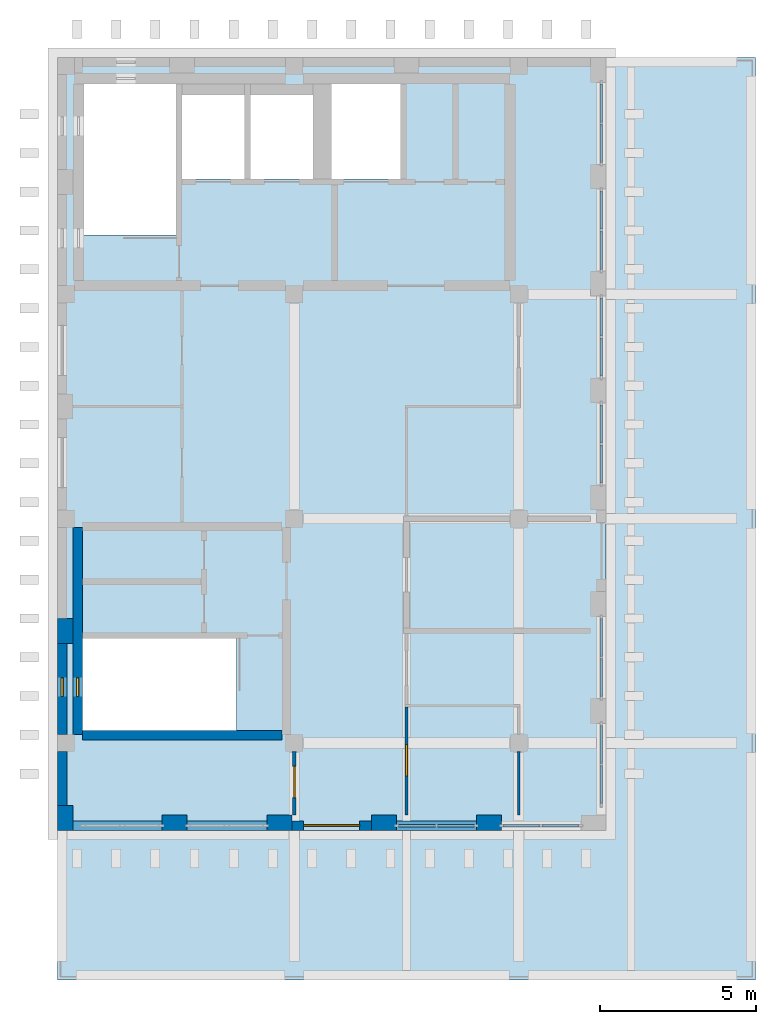
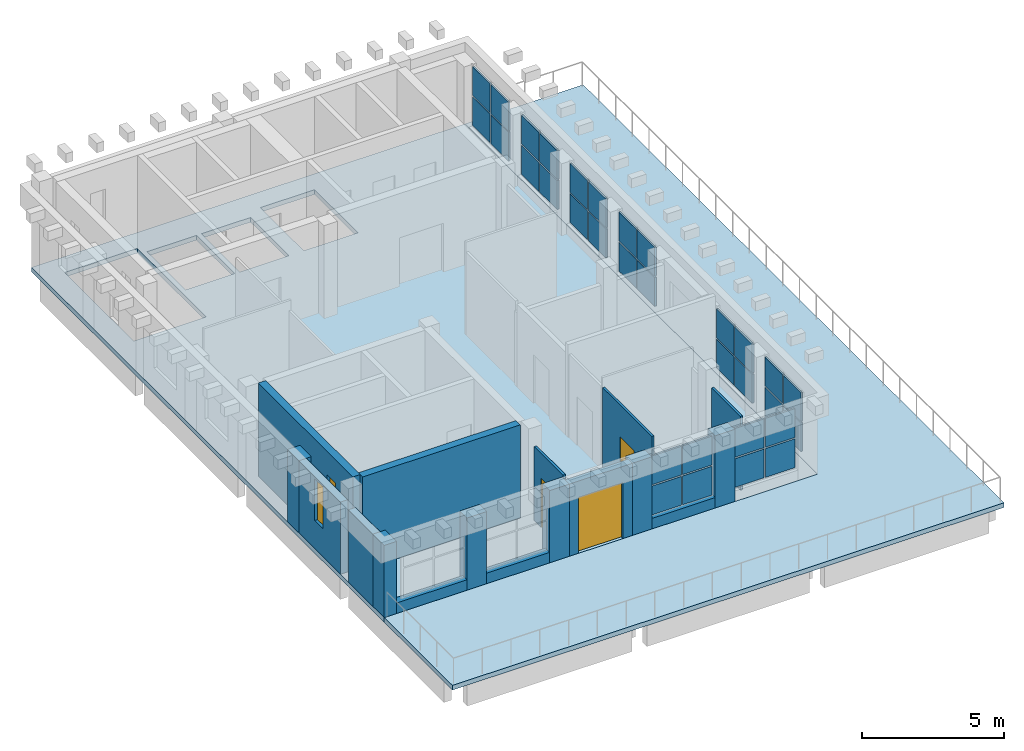
# One storey, part 3 of 6: 32 plates, 17 walls, 3 doors, 2 slabs, 2 windows, 5 openings, 8 elements without a shape of their own.
"""IFC4 building model written with IfcOpenShell, lengths in metres."""

from ifc_helpers import new_model, si_unit, direction, frame, frame_2d, origin, origin_2d, place, context, subcontext, project, spatial, polyline, rectangle, outline, extrude, material, layer, layer_set, type_object, element, fill, aggregate, save


model = new_model("IFC4")

# Units and contexts
model_context = context("Model", 3, precision=1e-05, world=origin(), true_north=direction((0.0, 1.0)))
body_context = subcontext(model_context, "Body", "Model", "MODEL_VIEW")
ifc_project = project(units=[si_unit("LENGTHUNIT", "METRE"), si_unit("AREAUNIT", "SQUARE_METRE"), si_unit("VOLUMEUNIT", "CUBIC_METRE"), si_unit("PLANEANGLEUNIT", "RADIAN"), si_unit("MASSUNIT", "GRAM", prefix="KILO")], contexts=[model_context])

# Site, building, storey
site_placement = place(None, origin())
site = spatial("IfcSite", under=ifc_project, at=site_placement, CompositionType="ELEMENT")
building_placement = place(site_placement, origin())
building = spatial("IfcBuilding", under=site, at=building_placement, Name="Ussher Court Research Institute", CompositionType="ELEMENT")
storey_placement = place(building_placement, frame((0.0, 0.0, 41.39990234375)))
storey = spatial("IfcBuildingStorey", under=building, at=storey_placement, Name="L09", CompositionType="ELEMENT", Elevation=41.39990234375)

# Slab
ifc_material_1 = material(Name="Concrete C35/45", Category="concrete")
ifc_layer_1 = layer(ifc_material_1, 0.199951171875)
ifc_layer_set_1 = layer_set([ifc_layer_1], Name="Concrete C35/45")
slab_type_1 = type_object("IfcSlabType", Name="Floor slab 200", PredefinedType="FLOOR", material=ifc_layer_set_1)
slab_1_placement = place(storey_placement, frame((0.0, 0.0, -0.199951171875)))
element("IfcSlab", 1, at=slab_1_placement, inside=storey, type_object=slab_type_1, Name="FS200 V4 L09-01", PredefinedType="FLOOR", context=body_context, shape_type="SweptSolid", body=[
    extrude(outline(polyline([(81.800048828125, 33.199951171875), (81.800048828125, 8.39990234375), (99.39990234375, 8.39990234375), (99.39990234375, 33.199951171875), (81.800048828125, 33.199951171875)]), holes=[polyline([(82.60009765625, 14.550048828125), (87.550048828125, 14.550048828125), (87.550048828125, 11.60009765625), (82.60009765625, 11.60009765625), (82.60009765625, 14.550048828125)]), polyline([(85.60009765625, 32.35009765625), (85.60009765625, 27.5), (82.64990234375, 27.5), (82.64990234375, 32.35009765625), (85.60009765625, 32.35009765625)]), polyline([(85.800048828125, 32.0), (87.800048828125, 32.0), (87.800048828125, 29.300048828125), (85.800048828125, 29.300048828125), (85.800048828125, 32.0)]), polyline([(90.0, 32.0), (90.0, 29.300048828125), (88.0, 29.300048828125), (88.0, 32.0), (90.0, 32.0)]), polyline([(92.800048828125, 32.35009765625), (92.800048828125, 29.300048828125), (90.60009765625, 29.300048828125), (90.60009765625, 32.35009765625), (92.800048828125, 32.35009765625)])]), origin(), (0.0, 0.0, 1.0), 0.199951171875),
])

# Curtain wall, plates
ifc_material_2 = material(Name="Bronze anodised aluminium with solar-control glass", Category="aluminium")
ifc_layer_2 = layer(ifc_material_2, 0.1201171875)
ifc_layer_set_2 = layer_set([ifc_layer_2], Name="Bronze anodised aluminium with solar-control glass")
curtain_wall_type = type_object("IfcCurtainWallType", Name="Curtain wall roof terrace pavilion front", PredefinedType="NOTDEFINED", material=ifc_layer_set_2)
curtain_wall_1_placement = place(storey_placement, origin())
curtain_wall_1 = element("IfcCurtainWall", 2, at=curtain_wall_1_placement, inside=storey, type_object=curtain_wall_type, Name="Curtain wall CW9 L09", PredefinedType="NOTDEFINED")
ifc_material_3 = material(Name="Solar-control glazed unit")
ifc_layer_3 = layer(ifc_material_3, 0.070068359375)
ifc_layer_set_3 = layer_set([ifc_layer_3], Name="Solar-control glazed unit")
plate_type = type_object("IfcPlateType", Name="Solar-control glazing panel 70 mm", PredefinedType="CURTAIN_PANEL", material=ifc_layer_set_3)
plate_1_placement = place(storey_placement, frame((99.25, 31.727783203125, 0.51025390625), z_axis=(0.0, 0.0, 1.0), x_axis=(0.0, -1.0, 0.0)))
plate_1 = element("IfcPlate", 3, at=plate_1_placement, type_object=plate_type, Name="CW9 panel 1.1", PredefinedType="CURTAIN_PANEL", context=body_context, shape_type="SweptSolid", body=[
    extrude(rectangle(XDim=1.224365234375, YDim=0.070068359375, at=origin_2d()), origin(), (0.0, 0.0, 1.0), 1.235107421875),
])
plate_2_placement = place(storey_placement, frame((99.25, 31.727783203125, 1.80517578125), z_axis=(0.0, 0.0, 1.0), x_axis=(0.0, -1.0, 0.0)))
plate_2 = element("IfcPlate", 4, at=plate_2_placement, type_object=plate_type, Name="CW9 panel 1.2", PredefinedType="CURTAIN_PANEL", context=body_context, shape_type="SweptSolid", body=[
    extrude(rectangle(XDim=1.224365234375, YDim=0.070068359375, at=origin_2d()), origin(), (0.0, 0.0, 1.0), 1.235107421875),
])
plate_3_placement = place(storey_placement, frame((99.25, 30.443603515625, 0.51025390625), z_axis=(0.0, 0.0, 1.0), x_axis=(0.0, -1.0, 0.0)))
plate_3 = element("IfcPlate", 5, at=plate_3_placement, type_object=plate_type, Name="CW9 panel 2.1", PredefinedType="CURTAIN_PANEL", context=body_context, shape_type="SweptSolid", body=[
    extrude(rectangle(XDim=1.224365234375, YDim=0.070068359375, at=origin_2d()), origin(), (0.0, 0.0, 1.0), 1.235107421875),
])
plate_4_placement = place(storey_placement, frame((99.25, 30.443603515625, 1.80517578125), z_axis=(0.0, 0.0, 1.0), x_axis=(0.0, -1.0, 0.0)))
plate_4 = element("IfcPlate", 6, at=plate_4_placement, type_object=plate_type, Name="CW9 panel 2.2", PredefinedType="CURTAIN_PANEL", context=body_context, shape_type="SweptSolid", body=[
    extrude(rectangle(XDim=1.224365234375, YDim=0.070068359375, at=origin_2d()), origin(), (0.0, 0.0, 1.0), 1.235107421875),
])
aggregate(curtain_wall_1, [plate_1, plate_2, plate_3, plate_4])

curtain_wall_2_placement = place(storey_placement, origin())
curtain_wall_2 = element("IfcCurtainWall", 7, at=curtain_wall_2_placement, inside=storey, type_object=curtain_wall_type, Name="Curtain wall CW9 L09", PredefinedType="NOTDEFINED")
plate_5_placement = place(storey_placement, frame((99.25, 28.29931640625, 0.51025390625), z_axis=(0.0, 0.0, 1.0), x_axis=(0.0, -1.0, 0.0)))
plate_5 = element("IfcPlate", 8, at=plate_5_placement, type_object=plate_type, Name="CW9 panel 1.1", PredefinedType="CURTAIN_PANEL", context=body_context, shape_type="SweptSolid", body=[
    extrude(rectangle(XDim=1.224365234375, YDim=0.070068359375, at=origin_2d()), origin(), (0.0, 0.0, 1.0), 1.235107421875),
])
plate_6_placement = place(storey_placement, frame((99.25, 28.29931640625, 1.80517578125), z_axis=(0.0, 0.0, 1.0), x_axis=(0.0, -1.0, 0.0)))
plate_6 = element("IfcPlate", 9, at=plate_6_placement, type_object=plate_type, Name="CW9 panel 1.2", PredefinedType="CURTAIN_PANEL", context=body_context, shape_type="SweptSolid", body=[
    extrude(rectangle(XDim=1.224365234375, YDim=0.070068359375, at=origin_2d()), origin(), (0.0, 0.0, 1.0), 1.235107421875),
])
plate_7_placement = place(storey_placement, frame((99.25, 27.01513671875, 0.51025390625), z_axis=(0.0, 0.0, 1.0), x_axis=(0.0, -1.0, 0.0)))
plate_7 = element("IfcPlate", 10, at=plate_7_placement, type_object=plate_type, Name="CW9 panel 2.1", PredefinedType="CURTAIN_PANEL", context=body_context, shape_type="SweptSolid", body=[
    extrude(rectangle(XDim=1.224365234375, YDim=0.070068359375, at=origin_2d()), origin(), (0.0, 0.0, 1.0), 1.235107421875),
])
plate_8_placement = place(storey_placement, frame((99.25, 27.01513671875, 1.80517578125), z_axis=(0.0, 0.0, 1.0), x_axis=(0.0, -1.0, 0.0)))
plate_8 = element("IfcPlate", 11, at=plate_8_placement, type_object=plate_type, Name="CW9 panel 2.2", PredefinedType="CURTAIN_PANEL", context=body_context, shape_type="SweptSolid", body=[
    extrude(rectangle(XDim=1.224365234375, YDim=0.070068359375, at=origin_2d()), origin(), (0.0, 0.0, 1.0), 1.235107421875),
])
aggregate(curtain_wall_2, [plate_5, plate_6, plate_7, plate_8])

curtain_wall_3_placement = place(storey_placement, origin())
curtain_wall_3 = element("IfcCurtainWall", 12, at=curtain_wall_3_placement, inside=storey, type_object=curtain_wall_type, Name="Curtain wall CW9 L09", PredefinedType="NOTDEFINED")
plate_9_placement = place(storey_placement, frame((99.25, 24.870849609375, 0.51025390625), z_axis=(0.0, 0.0, 1.0), x_axis=(0.0, -1.0, 0.0)))
plate_9 = element("IfcPlate", 13, at=plate_9_placement, type_object=plate_type, Name="CW9 panel 1.1", PredefinedType="CURTAIN_PANEL", context=body_context, shape_type="SweptSolid", body=[
    extrude(rectangle(XDim=1.224365234375, YDim=0.070068359375, at=origin_2d()), origin(), (0.0, 0.0, 1.0), 1.235107421875),
])
plate_10_placement = place(storey_placement, frame((99.25, 24.870849609375, 1.80517578125), z_axis=(0.0, 0.0, 1.0), x_axis=(0.0, -1.0, 0.0)))
plate_10 = element("IfcPlate", 14, at=plate_10_placement, type_object=plate_type, Name="CW9 panel 1.2", PredefinedType="CURTAIN_PANEL", context=body_context, shape_type="SweptSolid", body=[
    extrude(rectangle(XDim=1.224365234375, YDim=0.070068359375, at=origin_2d()), origin(), (0.0, 0.0, 1.0), 1.235107421875),
])
plate_11_placement = place(storey_placement, frame((99.25, 23.58642578125, 0.51025390625), z_axis=(0.0, 0.0, 1.0), x_axis=(0.0, -1.0, 0.0)))
plate_11 = element("IfcPlate", 15, at=plate_11_placement, type_object=plate_type, Name="CW9 panel 2.1", PredefinedType="CURTAIN_PANEL", context=body_context, shape_type="SweptSolid", body=[
    extrude(rectangle(XDim=1.224365234375, YDim=0.070068359375, at=origin_2d()), origin(), (0.0, 0.0, 1.0), 1.235107421875),
])
plate_12_placement = place(storey_placement, frame((99.25, 23.58642578125, 1.80517578125), z_axis=(0.0, 0.0, 1.0), x_axis=(0.0, -1.0, 0.0)))
plate_12 = element("IfcPlate", 16, at=plate_12_placement, type_object=plate_type, Name="CW9 panel 2.2", PredefinedType="CURTAIN_PANEL", context=body_context, shape_type="SweptSolid", body=[
    extrude(rectangle(XDim=1.224365234375, YDim=0.070068359375, at=origin_2d()), origin(), (0.0, 0.0, 1.0), 1.235107421875),
])
aggregate(curtain_wall_3, [plate_9, plate_10, plate_11, plate_12])

curtain_wall_4_placement = place(storey_placement, origin())
curtain_wall_4 = element("IfcCurtainWall", 17, at=curtain_wall_4_placement, inside=storey, type_object=curtain_wall_type, Name="Curtain wall CW9 L09", PredefinedType="NOTDEFINED")
plate_13_placement = place(storey_placement, frame((99.25, 21.442138671875, 0.51025390625), z_axis=(0.0, 0.0, 1.0), x_axis=(0.0, -1.0, 0.0)))
plate_13 = element("IfcPlate", 18, at=plate_13_placement, type_object=plate_type, Name="CW9 panel 1.1", PredefinedType="CURTAIN_PANEL", context=body_context, shape_type="SweptSolid", body=[
    extrude(rectangle(XDim=1.224365234375, YDim=0.070068359375, at=origin_2d()), origin(), (0.0, 0.0, 1.0), 1.235107421875),
])
plate_14_placement = place(storey_placement, frame((99.25, 21.442138671875, 1.80517578125), z_axis=(0.0, 0.0, 1.0), x_axis=(0.0, -1.0, 0.0)))
plate_14 = element("IfcPlate", 19, at=plate_14_placement, type_object=plate_type, Name="CW9 panel 1.2", PredefinedType="CURTAIN_PANEL", context=body_context, shape_type="SweptSolid", body=[
    extrude(rectangle(XDim=1.224365234375, YDim=0.070068359375, at=origin_2d()), origin(), (0.0, 0.0, 1.0), 1.235107421875),
])
plate_15_placement = place(storey_placement, frame((99.25, 20.157958984375, 0.51025390625), z_axis=(0.0, 0.0, 1.0), x_axis=(0.0, -1.0, 0.0)))
plate_15 = element("IfcPlate", 20, at=plate_15_placement, type_object=plate_type, Name="CW9 panel 2.1", PredefinedType="CURTAIN_PANEL", context=body_context, shape_type="SweptSolid", body=[
    extrude(rectangle(XDim=1.224365234375, YDim=0.070068359375, at=origin_2d()), origin(), (0.0, 0.0, 1.0), 1.235107421875),
])
plate_16_placement = place(storey_placement, frame((99.25, 20.157958984375, 1.80517578125), z_axis=(0.0, 0.0, 1.0), x_axis=(0.0, -1.0, 0.0)))
plate_16 = element("IfcPlate", 21, at=plate_16_placement, type_object=plate_type, Name="CW9 panel 2.2", PredefinedType="CURTAIN_PANEL", context=body_context, shape_type="SweptSolid", body=[
    extrude(rectangle(XDim=1.224365234375, YDim=0.070068359375, at=origin_2d()), origin(), (0.0, 0.0, 1.0), 1.235107421875),
])
aggregate(curtain_wall_4, [plate_13, plate_14, plate_15, plate_16])

curtain_wall_5_placement = place(storey_placement, origin())
curtain_wall_5 = element("IfcCurtainWall", 22, at=curtain_wall_5_placement, inside=storey, type_object=curtain_wall_type, Name="Curtain wall CW9 L09", PredefinedType="NOTDEFINED")
plate_17_placement = place(storey_placement, frame((99.25, 14.5849609375, 0.51025390625), z_axis=(0.0, 0.0, 1.0), x_axis=(0.0, -1.0, 0.0)))
plate_17 = element("IfcPlate", 23, at=plate_17_placement, type_object=plate_type, Name="CW9 panel 1.1", PredefinedType="CURTAIN_PANEL", context=body_context, shape_type="SweptSolid", body=[
    extrude(rectangle(XDim=1.224365234375, YDim=0.070068359375, at=origin_2d()), origin(), (0.0, 0.0, 1.0), 1.235107421875),
])
plate_18_placement = place(storey_placement, frame((99.25, 14.5849609375, 1.80517578125), z_axis=(0.0, 0.0, 1.0), x_axis=(0.0, -1.0, 0.0)))
plate_18 = element("IfcPlate", 24, at=plate_18_placement, type_object=plate_type, Name="CW9 panel 1.2", PredefinedType="CURTAIN_PANEL", context=body_context, shape_type="SweptSolid", body=[
    extrude(rectangle(XDim=1.224365234375, YDim=0.070068359375, at=origin_2d()), origin(), (0.0, 0.0, 1.0), 1.235107421875),
])
plate_19_placement = place(storey_placement, frame((99.25, 13.30078125, 0.51025390625), z_axis=(0.0, 0.0, 1.0), x_axis=(0.0, -1.0, 0.0)))
plate_19 = element("IfcPlate", 25, at=plate_19_placement, type_object=plate_type, Name="CW9 panel 2.1", PredefinedType="CURTAIN_PANEL", context=body_context, shape_type="SweptSolid", body=[
    extrude(rectangle(XDim=1.224365234375, YDim=0.070068359375, at=origin_2d()), origin(), (0.0, 0.0, 1.0), 1.235107421875),
])
plate_20_placement = place(storey_placement, frame((99.25, 13.30078125, 1.80517578125), z_axis=(0.0, 0.0, 1.0), x_axis=(0.0, -1.0, 0.0)))
plate_20 = element("IfcPlate", 26, at=plate_20_placement, type_object=plate_type, Name="CW9 panel 2.2", PredefinedType="CURTAIN_PANEL", context=body_context, shape_type="SweptSolid", body=[
    extrude(rectangle(XDim=1.224365234375, YDim=0.070068359375, at=origin_2d()), origin(), (0.0, 0.0, 1.0), 1.235107421875),
])
aggregate(curtain_wall_5, [plate_17, plate_18, plate_19, plate_20])

curtain_wall_6_placement = place(storey_placement, origin())
curtain_wall_6 = element("IfcCurtainWall", 27, at=curtain_wall_6_placement, inside=storey, type_object=curtain_wall_type, Name="Curtain wall CW9 L09", PredefinedType="NOTDEFINED")
plate_21_placement = place(storey_placement, frame((99.25, 11.156494140625, 0.51025390625), z_axis=(0.0, 0.0, 1.0), x_axis=(0.0, -1.0, 0.0)))
plate_21 = element("IfcPlate", 28, at=plate_21_placement, type_object=plate_type, Name="CW9 panel 1.1", PredefinedType="CURTAIN_PANEL", context=body_context, shape_type="SweptSolid", body=[
    extrude(rectangle(XDim=1.224365234375, YDim=0.070068359375, at=origin_2d()), origin(), (0.0, 0.0, 1.0), 1.235107421875),
])
plate_22_placement = place(storey_placement, frame((99.25, 11.156494140625, 1.80517578125), z_axis=(0.0, 0.0, 1.0), x_axis=(0.0, -1.0, 0.0)))
plate_22 = element("IfcPlate", 29, at=plate_22_placement, type_object=plate_type, Name="CW9 panel 1.2", PredefinedType="CURTAIN_PANEL", context=body_context, shape_type="SweptSolid", body=[
    extrude(rectangle(XDim=1.224365234375, YDim=0.070068359375, at=origin_2d()), origin(), (0.0, 0.0, 1.0), 1.235107421875),
])
plate_23_placement = place(storey_placement, frame((99.25, 9.8720703125, 0.51025390625), z_axis=(0.0, 0.0, 1.0), x_axis=(0.0, -1.0, 0.0)))
plate_23 = element("IfcPlate", 30, at=plate_23_placement, type_object=plate_type, Name="CW9 panel 2.1", PredefinedType="CURTAIN_PANEL", context=body_context, shape_type="SweptSolid", body=[
    extrude(rectangle(XDim=1.224365234375, YDim=0.070068359375, at=origin_2d()), origin(), (0.0, 0.0, 1.0), 1.235107421875),
])
plate_24_placement = place(storey_placement, frame((99.25, 9.8720703125, 1.80517578125), z_axis=(0.0, 0.0, 1.0), x_axis=(0.0, -1.0, 0.0)))
plate_24 = element("IfcPlate", 31, at=plate_24_placement, type_object=plate_type, Name="CW9 panel 2.2", PredefinedType="CURTAIN_PANEL", context=body_context, shape_type="SweptSolid", body=[
    extrude(rectangle(XDim=1.224365234375, YDim=0.070068359375, at=origin_2d()), origin(), (0.0, 0.0, 1.0), 1.235107421875),
])
aggregate(curtain_wall_6, [plate_21, plate_22, plate_23, plate_24])

curtain_wall_7_placement = place(storey_placement, origin())
curtain_wall_7 = element("IfcCurtainWall", 32, at=curtain_wall_7_placement, inside=storey, type_object=curtain_wall_type, Name="Curtain wall CW9 L09", PredefinedType="NOTDEFINED")
plate_25_placement = place(storey_placement, frame((97.945068359375, 8.550048828125, 0.51025390625), z_axis=(0.0, 0.0, 1.0), x_axis=(-1.0, 0.0, 0.0)))
plate_25 = element("IfcPlate", 33, at=plate_25_placement, type_object=plate_type, Name="CW9 panel 1.1", PredefinedType="CURTAIN_PANEL", context=body_context, shape_type="SweptSolid", body=[
    extrude(rectangle(XDim=1.18994140625, YDim=0.070068359375, at=origin_2d()), origin(), (0.0, 0.0, 1.0), 1.235107421875),
])
plate_26_placement = place(storey_placement, frame((97.945068359375, 8.550048828125, 1.80517578125), z_axis=(0.0, 0.0, 1.0), x_axis=(-1.0, 0.0, 0.0)))
plate_26 = element("IfcPlate", 34, at=plate_26_placement, type_object=plate_type, Name="CW9 panel 1.2", PredefinedType="CURTAIN_PANEL", context=body_context, shape_type="SweptSolid", body=[
    extrude(rectangle(XDim=1.18994140625, YDim=0.070068359375, at=origin_2d()), origin(), (0.0, 0.0, 1.0), 1.235107421875),
])
plate_27_placement = place(storey_placement, frame((96.695068359375, 8.550048828125, 0.51025390625), z_axis=(0.0, 0.0, 1.0), x_axis=(-1.0, 0.0, 0.0)))
plate_27 = element("IfcPlate", 35, at=plate_27_placement, type_object=plate_type, Name="CW9 panel 2.1", PredefinedType="CURTAIN_PANEL", context=body_context, shape_type="SweptSolid", body=[
    extrude(rectangle(XDim=1.18994140625, YDim=0.070068359375, at=origin_2d()), origin(), (0.0, 0.0, 1.0), 1.235107421875),
])
plate_28_placement = place(storey_placement, frame((96.695068359375, 8.550048828125, 1.80517578125), z_axis=(0.0, 0.0, 1.0), x_axis=(-1.0, 0.0, 0.0)))
plate_28 = element("IfcPlate", 36, at=plate_28_placement, type_object=plate_type, Name="CW9 panel 2.2", PredefinedType="CURTAIN_PANEL", context=body_context, shape_type="SweptSolid", body=[
    extrude(rectangle(XDim=1.18994140625, YDim=0.070068359375, at=origin_2d()), origin(), (0.0, 0.0, 1.0), 1.235107421875),
])
aggregate(curtain_wall_7, [plate_25, plate_26, plate_27, plate_28])

curtain_wall_8_placement = place(storey_placement, origin())
curtain_wall_8 = element("IfcCurtainWall", 37, at=curtain_wall_8_placement, inside=storey, type_object=curtain_wall_type, Name="Curtain wall CW9 L09", PredefinedType="NOTDEFINED")
plate_29_placement = place(storey_placement, frame((94.5849609375, 8.550048828125, 0.51025390625), z_axis=(0.0, 0.0, 1.0), x_axis=(-1.0, 0.0, 0.0)))
plate_29 = element("IfcPlate", 38, at=plate_29_placement, type_object=plate_type, Name="CW9 panel 1.1", PredefinedType="CURTAIN_PANEL", context=body_context, shape_type="SweptSolid", body=[
    extrude(rectangle(XDim=1.18994140625, YDim=0.070068359375, at=origin_2d()), origin(), (0.0, 0.0, 1.0), 1.235107421875),
])
plate_30_placement = place(storey_placement, frame((94.5849609375, 8.550048828125, 1.80517578125), z_axis=(0.0, 0.0, 1.0), x_axis=(-1.0, 0.0, 0.0)))
plate_30 = element("IfcPlate", 39, at=plate_30_placement, type_object=plate_type, Name="CW9 panel 1.2", PredefinedType="CURTAIN_PANEL", context=body_context, shape_type="SweptSolid", body=[
    extrude(rectangle(XDim=1.18994140625, YDim=0.070068359375, at=origin_2d()), origin(), (0.0, 0.0, 1.0), 1.235107421875),
])
plate_31_placement = place(storey_placement, frame((93.3349609375, 8.550048828125, 0.51025390625), z_axis=(0.0, 0.0, 1.0), x_axis=(-1.0, 0.0, 0.0)))
plate_31 = element("IfcPlate", 40, at=plate_31_placement, type_object=plate_type, Name="CW9 panel 2.1", PredefinedType="CURTAIN_PANEL", context=body_context, shape_type="SweptSolid", body=[
    extrude(rectangle(XDim=1.18994140625, YDim=0.070068359375, at=origin_2d()), origin(), (0.0, 0.0, 1.0), 1.235107421875),
])
plate_32_placement = place(storey_placement, frame((93.3349609375, 8.550048828125, 1.80517578125), z_axis=(0.0, 0.0, 1.0), x_axis=(-1.0, 0.0, 0.0)))
plate_32 = element("IfcPlate", 41, at=plate_32_placement, type_object=plate_type, Name="CW9 panel 2.2", PredefinedType="CURTAIN_PANEL", context=body_context, shape_type="SweptSolid", body=[
    extrude(rectangle(XDim=1.18994140625, YDim=0.070068359375, at=origin_2d()), origin(), (0.0, 0.0, 1.0), 1.235107421875),
])
aggregate(curtain_wall_8, [plate_29, plate_30, plate_31, plate_32])

# Slab
ifc_material_4 = material(Name="Concrete C35/45", Category="concrete")
ifc_layer_4 = layer(ifc_material_4, 0.199951171875)
ifc_layer_set_4 = layer_set([ifc_layer_4], Name="Concrete C35/45")
slab_type_2 = type_object("IfcSlabType", Name="Terrace slab 200", PredefinedType="ROOF", material=ifc_layer_set_4)
slab_2_placement = place(storey_placement, frame((0.0, 0.0, -0.199951171875)))
element("IfcSlab", 42, at=slab_2_placement, inside=storey, type_object=slab_type_2, Name="TS200 V4 L09-01", PredefinedType="ROOF", context=body_context, shape_type="SweptSolid", body=[
    extrude(outline(polyline([(81.800048828125, 8.39990234375), (81.800048828125, 3.60009765625), (104.199951171875, 3.60009765625), (104.199951171875, 33.199951171875), (99.39990234375, 33.199951171875), (99.39990234375, 8.39990234375), (81.800048828125, 8.39990234375)])), origin(), (0.0, 0.0, 1.0), 0.199951171875),
])

# Walls
ifc_material_5 = material(Name="Blockwork with cream render", Category="masonry")
ifc_layer_5 = layer(ifc_material_5, 0.300048828125)
ifc_layer_set_5 = layer_set([ifc_layer_5], Name="Blockwork with cream render")
wall_type_1 = type_object("IfcWallType", Name="External wall 300 cream render", PredefinedType="SOLIDWALL", material=ifc_layer_set_5)
wall_1_placement = place(storey_placement, frame((81.949951171875, 9.199951171875, 0.0), z_axis=(0.0, 0.0, 1.0), x_axis=(0.0, 1.0, 0.0)))
element("IfcWall", 43, at=wall_1_placement, inside=storey, type_object=wall_type_1, Name="External wall EW1 L09", PredefinedType="SOLIDWALL", context=body_context, shape_type="SweptSolid", body=[
    extrude(rectangle(XDim=1.72509765625, YDim=0.300048828125, at=frame_2d((0.862548828125, 0.0))), origin(), (0.0, 0.0, 1.0), 3.10009765625),
])
wall_2_placement = place(storey_placement, frame((95.239990234375, 8.550048828125, 0.0), z_axis=(0.0, 0.0, 1.0), x_axis=(-1.0, 0.0, 0.0)))
element("IfcWall", 44, at=wall_2_placement, inside=storey, type_object=wall_type_1, Name="Plinth wall EW1 L09", PredefinedType="SOLIDWALL", context=body_context, shape_type="SweptSolid", body=[
    extrude(rectangle(XDim=2.56005859375, YDim=0.300048828125, at=frame_2d((1.280029296875, 0.0))), origin(), (0.0, 0.0, 1.0), 0.4501953125),
])

# Wall, opening, door
wall_3_placement = place(storey_placement, frame((91.8798828125, 8.550048828125, 0.0), z_axis=(0.0, 0.0, 1.0), x_axis=(-1.0, 0.0, 0.0)))
wall_3 = element("IfcWall", 45, at=wall_3_placement, inside=storey, type_object=wall_type_1, Name="External wall EW1 L09", PredefinedType="SOLIDWALL", context=body_context, shape_type="SweptSolid", body=[
    extrude(rectangle(XDim=2.559814453125, YDim=0.300048828125, at=frame_2d((1.27978515625, 0.0))), origin(), (0.0, 0.0, 1.0), 3.10009765625),
])
opening_1_placement = place(wall_3_placement, frame((0.3798828125, 0.0, 0.0)))
opening_1 = element("IfcOpeningElement", 46, at=opening_1_placement, cuts=wall_3, Name="Opening DX32", PredefinedType="OPENING", context=body_context, shape_type="SweptSolid", body=[
    extrude(rectangle(XDim=1.800048828125, YDim=2.39990234375, at=frame_2d((0.89990234375, 1.199951171875))), frame((0.0, 0.16015625, 0.0), z_axis=(0.0, -1.0, 0.0), x_axis=(1.0, 0.0, 0.0)), (0.0, 0.0, 1.0), 0.320068359375),
])
ifc_material_6 = material(Name="Bronze anodised aluminium with toughened glass", Category="aluminium")
door_type_1 = type_object("IfcDoorType", Name="Terrace double door 1800x2400", OperationType="DOUBLE_DOOR_SINGLE_SWING", PredefinedType="DOOR", material=ifc_material_6)
door_1_placement = place(opening_1_placement, origin())
door_1 = element("IfcDoor", 47, at=door_1_placement, inside=storey, type_object=door_type_1, Name="Door DX32", OperationType="SINGLE_SWING_LEFT", OverallHeight=2.39990234375, OverallWidth=1.800048828125, PredefinedType="DOOR", context=body_context, shape_type="SweptSolid", body=[
    extrude(rectangle(XDim=1.800048828125, YDim=2.39990234375, at=frame_2d((0.89990234375, 1.199951171875))), frame((0.0, 0.02490234375, 0.0), z_axis=(0.0, -1.0, 0.0), x_axis=(1.0, 0.0, 0.0)), (0.0, 0.0, 1.0), 0.050048828125),
])
fill(opening_1, door_1)

# Walls
wall_4_placement = place(storey_placement, frame((88.52001953125, 8.550048828125, 0.0), z_axis=(0.0, 0.0, 1.0), x_axis=(-1.0, 0.0, 0.0)))
element("IfcWall", 48, at=wall_4_placement, inside=storey, type_object=wall_type_1, Name="Plinth wall EW1 L09", PredefinedType="SOLIDWALL", context=body_context, shape_type="SweptSolid", body=[
    extrude(rectangle(XDim=2.56005859375, YDim=0.300048828125, at=frame_2d((1.280029296875, 0.0))), origin(), (0.0, 0.0, 1.0), 0.4501953125),
])
wall_5_placement = place(storey_placement, frame((85.159912109375, 8.550048828125, 0.0), z_axis=(0.0, 0.0, 1.0), x_axis=(-1.0, 0.0, 0.0)))
element("IfcWall", 49, at=wall_5_placement, inside=storey, type_object=wall_type_1, Name="Plinth wall EW1 L09", PredefinedType="SOLIDWALL", context=body_context, shape_type="SweptSolid", body=[
    extrude(rectangle(XDim=2.85986328125, YDim=0.300048828125, at=frame_2d((1.429931640625, 0.0))), origin(), (0.0, 0.0, 1.0), 0.4501953125),
])

# Wall, opening, window
ifc_material_7 = material(Name="Limestone facing on blockwork", Category="masonry")
ifc_layer_6 = layer(ifc_material_7, 0.300048828125)
ifc_layer_set_6 = layer_set([ifc_layer_6], Name="Limestone facing on blockwork")
wall_type_2 = type_object("IfcWallType", Name="External wall 300 stair enclosure", PredefinedType="SOLIDWALL", material=ifc_layer_set_6)
wall_6_placement = place(storey_placement, frame((81.949951171875, 11.47509765625, 0.0), z_axis=(0.0, 0.0, 1.0), x_axis=(0.0, 1.0, 0.0)))
wall_6 = element("IfcWall", 50, at=wall_6_placement, inside=storey, type_object=wall_type_2, Name="External wall EW5 L09", PredefinedType="SOLIDWALL", context=body_context, shape_type="SweptSolid", body=[
    extrude(rectangle(XDim=2.9248046875, YDim=0.300048828125, at=frame_2d((1.46240234375, 0.0))), origin(), (0.0, 0.0, 1.0), 3.10009765625),
])
opening_2_placement = place(wall_6_placement, frame((1.22509765625, 0.0, 1.199951171875)))
opening_2 = element("IfcOpeningElement", 51, at=opening_2_placement, cuts=wall_6, Name="Opening W25", PredefinedType="OPENING", context=body_context, shape_type="SweptSolid", body=[
    extrude(rectangle(XDim=0.60009765625, YDim=1.800048828125, at=frame_2d((0.300048828125, 0.89990234375))), frame((0.0, 0.16015625, 0.0), z_axis=(0.0, -1.0, 0.0), x_axis=(1.0, 0.0, 0.0)), (0.0, 0.0, 1.0), 0.320068359375),
])
ifc_material_8 = material(Name="Bronze anodised aluminium with double glazing", Category="aluminium")
window_type = type_object("IfcWindowType", Name="Stair light slot window 600x1800 fire-resisting glazing", PartitioningType="SINGLE_PANEL", PredefinedType="WINDOW", material=ifc_material_8)
window_1_placement = place(opening_2_placement, origin())
window_1 = element("IfcWindow", 52, at=window_1_placement, inside=storey, type_object=window_type, Name="Window W25 L09", OverallHeight=1.800048828125, OverallWidth=0.60009765625, PartitioningType="SINGLE_PANEL", PredefinedType="WINDOW", context=body_context, shape_type="SweptSolid", body=[
    extrude(rectangle(XDim=0.60009765625, YDim=1.800048828125, at=frame_2d((0.300048828125, 0.89990234375))), frame((0.0, 0.030029296875, 0.0), z_axis=(0.0, -1.0, 0.0), x_axis=(1.0, 0.0, 0.0)), (0.0, 0.0, 1.0), 0.06005859375),
])
fill(opening_2, window_1)

# Wall, opening, door
ifc_material_9 = material(Name="Plastered blockwork", Category="masonry")
ifc_layer_7 = layer(ifc_material_9, 0.10009765625)
ifc_layer_set_7 = layer_set([ifc_layer_7], Name="Plastered blockwork")
wall_type_3 = type_object("IfcWallType", Name="Partition plastered blockwork 100", PredefinedType="PARTITIONING", material=ifc_layer_set_7)
wall_7_placement = place(storey_placement, frame((89.39990234375, 8.89990234375, 0.0), z_axis=(0.0, 0.0, 1.0), x_axis=(0.0, 1.0, 0.0)))
wall_7 = element("IfcWall", 53, at=wall_7_placement, inside=storey, type_object=wall_type_3, Name="Partition", PredefinedType="PARTITIONING", context=body_context, shape_type="SweptSolid", body=[
    extrude(rectangle(XDim=2.025146484375, YDim=0.10009765625, at=frame_2d((1.0126953125, 0.0))), origin(), (0.0, 0.0, 1.0), 3.170166015625),
])
opening_3_placement = place(wall_7_placement, frame((0.550048828125, 0.0, 0.0)))
opening_3 = element("IfcOpeningElement", 54, at=opening_3_placement, cuts=wall_7, Name="Opening D09009", PredefinedType="OPENING", context=body_context, shape_type="SweptSolid", body=[
    extrude(rectangle(XDim=1.0, YDim=2.10009765625, at=frame_2d((0.5, 1.050048828125))), frame((0.0, 0.06005859375, 0.0), z_axis=(0.0, -1.0, 0.0), x_axis=(1.0, 0.0, 0.0)), (0.0, 0.0, 1.0), 0.1201171875),
])
ifc_material_10 = material(Name="Veneered timber door", Category="wood")
door_type_2 = type_object("IfcDoorType", Name="Lounge door 1000x2100", OperationType="NOTDEFINED", PredefinedType="DOOR", material=ifc_material_10)
door_2_placement = place(opening_3_placement, origin())
door_2 = element("IfcDoor", 55, at=door_2_placement, inside=storey, type_object=door_type_2, Name="Door D09009", OperationType="SINGLE_SWING_RIGHT", OverallHeight=2.10009765625, OverallWidth=1.0, PredefinedType="DOOR", context=body_context, shape_type="SweptSolid", body=[
    extrude(rectangle(XDim=1.0, YDim=2.10009765625, at=frame_2d((0.5, 1.050048828125))), frame((0.0, 0.02490234375, 0.0), z_axis=(0.0, -1.0, 0.0), x_axis=(1.0, 0.0, 0.0)), (0.0, 0.0, 1.0), 0.050048828125),
])
fill(opening_3, door_2)

# Walls
ifc_material_11 = material(Name="Blockwork with cream render", Category="masonry")
ifc_layer_8 = layer(ifc_material_11, 0.5)
ifc_layer_set_8 = layer_set([ifc_layer_8], Name="Blockwork with cream render")
wall_type_4 = type_object("IfcWallType", Name="Pier 800x500 cream render", PredefinedType="SOLIDWALL", material=ifc_layer_set_8)
for number, where, z_axis, x_axis, name in (
    (56, (82.050048828125, 8.39990234375, 0.0), (0.0, 0.0, 1.0), (0.0, 1.0, 0.0), "Pier PR1 L09"),
    (57, (82.050048828125, 14.39990234375, 0.0), (0.0, 0.0, 1.0), (0.0, 1.0, 0.0), "Pier PR1 L09"),
    (58, (96.0400390625, 8.64990234375, 0.0), (0.0, 0.0, 1.0), (-1.0, 0.0, 0.0), "Pier PR1 L09"),
    (59, (92.679931640625, 8.64990234375, 0.0), (0.0, 0.0, 1.0), (-1.0, 0.0, 0.0), "Pier PR1 L09"),
    (60, (89.320068359375, 8.64990234375, 0.0), (0.0, 0.0, 1.0), (-1.0, 0.0, 0.0), "Pier PR1 L09"),
    (61, (85.9599609375, 8.64990234375, 0.0), (0.0, 0.0, 1.0), (-1.0, 0.0, 0.0), "Pier PR1 L09"),
):
    element("IfcWall", number, at=place(storey_placement, frame(where, z_axis=z_axis, x_axis=x_axis)), inside=storey, type_object=wall_type_4, Name=name, PredefinedType="SOLIDWALL", context=body_context, shape_type="SweptSolid", body=[
        extrude(rectangle(XDim=0.800048828125, YDim=0.5, at=frame_2d((0.39990234375, 0.0))), origin(), (0.0, 0.0, 1.0), 3.10009765625),
    ])

# Wall, opening, window
ifc_material_12 = material(Name="Concrete C35/45", Category="concrete")
ifc_layer_9 = layer(ifc_material_12, 0.300048828125)
ifc_layer_set_9 = layer_set([ifc_layer_9], Name="Concrete C35/45")
wall_type_5 = type_object("IfcWallType", Name="RC core wall 300", PredefinedType="SHEAR", material=ifc_layer_set_9)
wall_8_placement = place(storey_placement, frame((82.449951171875, 11.47509765625, 0.0), z_axis=(0.0, 0.0, 1.0), x_axis=(0.0, 1.0, 0.0)))
wall_8 = element("IfcWall", 62, at=wall_8_placement, inside=storey, type_object=wall_type_5, Name="Core wall T2", PredefinedType="SHEAR", context=body_context, shape_type="SweptSolid", body=[
    extrude(rectangle(XDim=6.64990234375, YDim=0.300048828125, at=frame_2d((3.324951171875, 0.0))), origin(), (0.0, 0.0, 1.0), 4.0),
])
opening_4_placement = place(wall_8_placement, frame((1.22509765625, 0.0, 1.199951171875)))
opening_4 = element("IfcOpeningElement", 63, at=opening_4_placement, cuts=wall_8, Name="Opening W25", PredefinedType="OPENING", context=body_context, shape_type="SweptSolid", body=[
    extrude(rectangle(XDim=0.60009765625, YDim=1.800048828125, at=frame_2d((0.300048828125, 0.89990234375))), frame((0.0, 0.16015625, 0.0), z_axis=(0.0, -1.0, 0.0), x_axis=(1.0, 0.0, 0.0)), (0.0, 0.0, 1.0), 0.320068359375),
])
window_2_placement = place(opening_4_placement, origin())
window_2 = element("IfcWindow", 64, at=window_2_placement, inside=storey, type_object=window_type, Name="Window stair light T2 L09", OverallHeight=1.800048828125, OverallWidth=0.60009765625, PartitioningType="SINGLE_PANEL", PredefinedType="WINDOW", context=body_context, shape_type="SweptSolid", body=[
    extrude(rectangle(XDim=0.60009765625, YDim=1.800048828125, at=frame_2d((0.300048828125, 0.89990234375))), frame((0.0, 0.030029296875, 0.0), z_axis=(0.0, -1.0, 0.0), x_axis=(1.0, 0.0, 0.0)), (0.0, 0.0, 1.0), 0.06005859375),
])
fill(opening_4, window_2)

# Wall
wall_9_placement = place(storey_placement, frame((82.60009765625, 11.449951171875, 0.0), z_axis=(0.0, 0.0, 1.0), x_axis=(1.0, 0.0, 0.0)))
element("IfcWall", 65, at=wall_9_placement, inside=storey, type_object=wall_type_5, Name="Core wall T2", PredefinedType="SHEAR", context=body_context, shape_type="SweptSolid", body=[
    extrude(rectangle(XDim=6.39990234375, YDim=0.300048828125, at=frame_2d((3.199951171875, 0.0))), origin(), (0.0, 0.0, 1.0), 4.0),
])

# Wall, opening, door
ifc_material_13 = material(Name="Moisture-resistant board on steel studs", Category="steel")
ifc_layer_10 = layer(ifc_material_13, 0.090087890625)
ifc_layer_set_10 = layer_set([ifc_layer_10], Name="Moisture-resistant board on steel studs")
wall_type_6 = type_object("IfcWallType", Name="WC lining partition 90", PredefinedType="PARTITIONING", material=ifc_layer_set_10)
wall_10_placement = place(storey_placement, frame((93.0, 12.35498046875, 0.0), z_axis=(0.0, 0.0, 1.0), x_axis=(0.0, -1.0, 0.0)))
wall_10 = element("IfcWall", 66, at=wall_10_placement, inside=storey, type_object=wall_type_6, Name="Partition", PredefinedType="PARTITIONING", context=body_context, shape_type="SweptSolid", body=[
    extrude(rectangle(XDim=3.455078125, YDim=0.090087890625, at=frame_2d((1.7275390625, 0.0))), origin(), (0.0, 0.0, 1.0), 3.570068359375),
])
opening_5_placement = place(wall_10_placement, frame((1.205078125, 0.0, 0.0)))
opening_5 = element("IfcOpeningElement", 67, at=opening_5_placement, cuts=wall_10, Name="Opening D09010", PredefinedType="OPENING", context=body_context, shape_type="SweptSolid", body=[
    extrude(rectangle(XDim=1.0, YDim=2.199951171875, at=frame_2d((0.5, 1.10009765625))), frame((0.0, 0.05517578125, 0.0), z_axis=(0.0, -1.0, 0.0), x_axis=(1.0, 0.0, 0.0)), (0.0, 0.0, 1.0), 0.110107421875),
])
ifc_material_14 = material(Name="Veneered timber door", Category="wood")
door_type_3 = type_object("IfcDoorType", Name="Accessible WC door 1000x2200", OperationType="NOTDEFINED", PredefinedType="DOOR", material=ifc_material_14)
door_3_placement = place(opening_5_placement, origin())
door_3 = element("IfcDoor", 68, at=door_3_placement, inside=storey, type_object=door_type_3, Name="Door D09010", OperationType="SINGLE_SWING_LEFT", OverallHeight=2.199951171875, OverallWidth=1.0, PredefinedType="DOOR", context=body_context, shape_type="SweptSolid", body=[
    extrude(rectangle(XDim=1.0, YDim=2.199951171875, at=frame_2d((0.5, 1.10009765625))), frame((0.0, 0.02490234375, 0.0), z_axis=(0.0, -1.0, 0.0), x_axis=(1.0, 0.0, 0.0)), (0.0, 0.0, 1.0), 0.050048828125),
])
fill(opening_5, door_3)

# Wall
wall_11_placement = place(storey_placement, frame((96.60009765625, 8.89990234375, 0.0), z_axis=(0.0, 0.0, 1.0), x_axis=(0.0, 1.0, 0.0)))
element("IfcWall", 69, at=wall_11_placement, inside=storey, type_object=wall_type_6, Name="Partition", PredefinedType="PARTITIONING", context=body_context, shape_type="SweptSolid", body=[
    extrude(rectangle(XDim=2.025146484375, YDim=0.090087890625, at=frame_2d((1.0126953125, 0.0))), origin(), (0.0, 0.0, 1.0), 3.170166015625),
])

save(model, "model.ifc")
